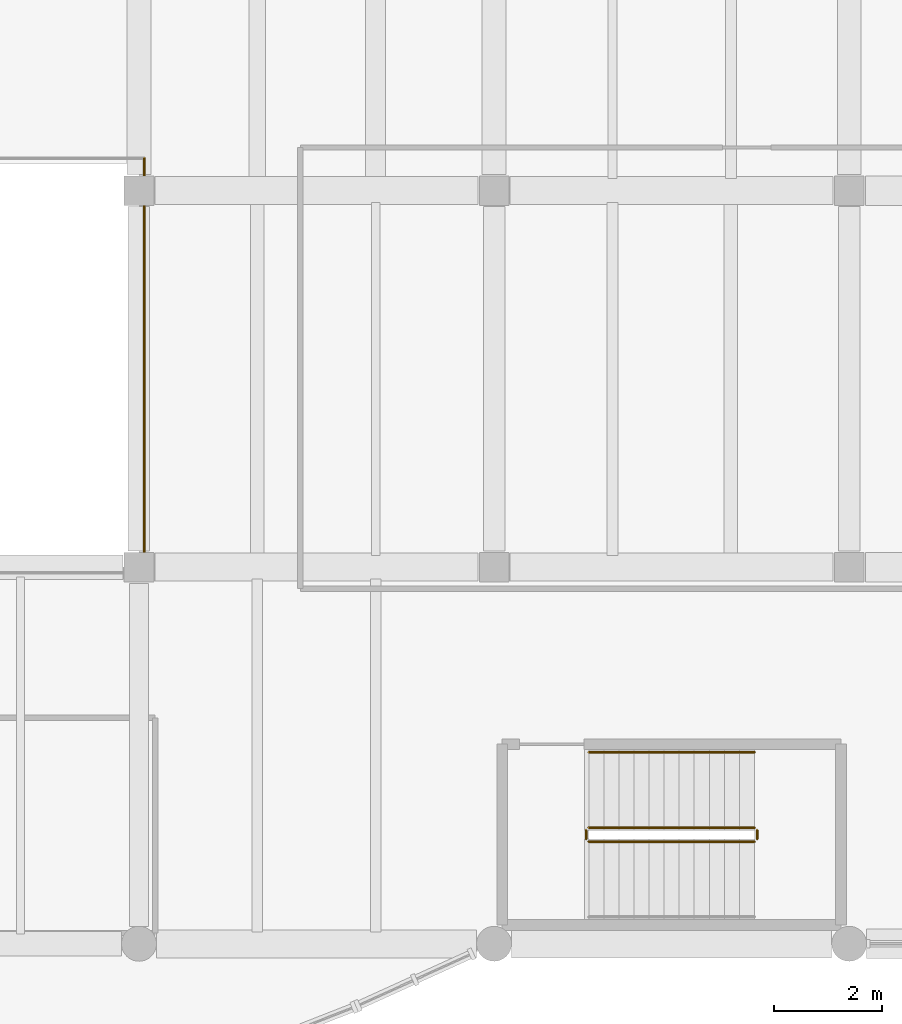
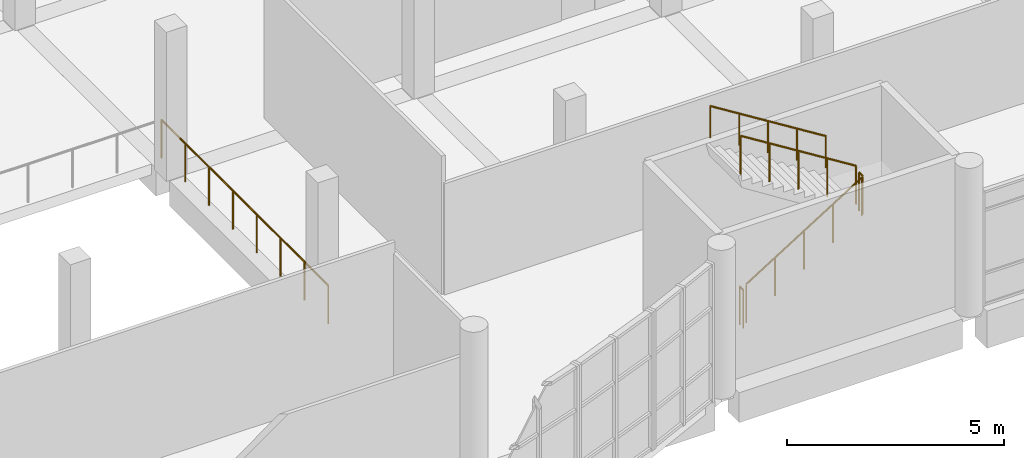
# One storey, part 61 of 65: 6 railings.
"""IFC4 building model written with IfcOpenShell, lengths in metres."""

from ifc_helpers import new_model, si_unit, direction, frame, origin, origin_2d, place, context, subcontext, project, spatial, circle, extrude, material, type_object, element, save


model = new_model("IFC4")

# Units and contexts
model_context = context("Model", 3, precision=1e-05, world=origin(), true_north=direction((0.0, 1.0)))
body_context = subcontext(model_context, "Body", "Model", "MODEL_VIEW")
ifc_project = project(units=[si_unit("LENGTHUNIT", "METRE"), si_unit("AREAUNIT", "SQUARE_METRE"), si_unit("VOLUMEUNIT", "CUBIC_METRE"), si_unit("PLANEANGLEUNIT", "RADIAN"), si_unit("MASSUNIT", "GRAM", prefix="KILO")], contexts=[model_context])

# Site, building, storey
site_placement = place(None, origin())
site = spatial("IfcSite", under=ifc_project, at=site_placement, CompositionType="ELEMENT")
building_placement = place(site_placement, origin())
building = spatial("IfcBuilding", under=site, at=building_placement, Name="Ciguamira Faculty of Natural Sciences", CompositionType="ELEMENT")
storey_placement = place(building_placement, frame((0.0, 0.0, 12.60009765625)))
storey = spatial("IfcBuildingStorey", under=building, at=storey_placement, Name="L03", CompositionType="ELEMENT", Elevation=12.60009765625)

# Railings
ifc_material_1 = material(Name="Stainless steel balustrade", Category="steel")
railing_type_1 = type_object("IfcRailingType", Name="Guardrail_GR01", PredefinedType="GUARDRAIL", material=ifc_material_1)
railing_1_placement = place(storey_placement, frame((111.860107421875, 11.89990234375, 0.1748046875)))
element("IfcRailing", 1, at=railing_1_placement, inside=storey, type_object=railing_type_1, Name="L03 ST-A2 stair guard 1", PredefinedType="GUARDRAIL", context=body_context, shape_type="SweptSolid", body=[
    extrude(circle(Radius=0.02392578125, at=origin_2d()), frame((0.0, 0.0, 1.076171875), z_axis=(0.847979421464, 0.0, 0.530029150871), x_axis=(0.0, 1.0, 0.0)), (0.0, 0.0, 1.0), 3.632080078125),
    extrude(circle(Radius=0.02099609375, at=origin_2d()), origin(), (0.0, 0.0, 1.0), 1.052001953125),
    extrude(circle(Radius=0.02099609375, at=origin_2d()), frame((0.77001953125, 0.0, 0.481201171875)), (0.0, 0.0, 1.0), 1.052001953125),
    extrude(circle(Radius=0.02099609375, at=origin_2d()), frame((1.5400390625, 0.0, 0.96240234375)), (0.0, 0.0, 1.0), 1.052001953125),
    extrude(circle(Radius=0.02099609375, at=origin_2d()), frame((2.309814453125, 0.0, 1.44384765625)), (0.0, 0.0, 1.0), 1.052001953125),
    extrude(circle(Radius=0.02099609375, at=origin_2d()), frame((3.079833984375, 0.0, 1.925048828125)), (0.0, 0.0, 1.0), 1.052001953125),
])
railing_2_placement = place(storey_placement, frame((114.989990234375, 11.949951171875, 2.099853515625)))
element("IfcRailing", 2, at=railing_2_placement, inside=storey, type_object=railing_type_1, Name="L03 ST-A2 stair guard 2", PredefinedType="GUARDRAIL", context=body_context, shape_type="SweptSolid", body=[
    extrude(circle(Radius=0.02392578125, at=origin_2d()), frame((0.0, 0.0, 1.076171875), z_axis=(0.0, 1.0, 0.0), x_axis=(-1.0, 0.0, 0.0)), (0.0, 0.0, 1.0), 0.16015625),
    extrude(circle(Radius=0.02099609375, at=origin_2d()), origin(), (0.0, 0.0, 1.0), 1.052001953125),
    extrude(circle(Radius=0.02099609375, at=origin_2d()), frame((0.0, 0.16015625, 0.0)), (0.0, 0.0, 1.0), 1.052001953125),
])
railing_3_placement = place(storey_placement, frame((114.93994140625, 12.159912109375, 2.27490234375)))
element("IfcRailing", 3, at=railing_3_placement, inside=storey, type_object=railing_type_1, Name="L03 ST-A2 stair guard 3", PredefinedType="GUARDRAIL", context=body_context, shape_type="SweptSolid", body=[
    extrude(circle(Radius=0.02392578125, at=origin_2d()), frame((0.0, 0.0, 1.076171875), z_axis=(-0.847979421464, 0.0, 0.530029150871), x_axis=(0.0, -1.0, 0.0)), (0.0, 0.0, 1.0), 3.632080078125),
    extrude(circle(Radius=0.02099609375, at=origin_2d()), origin(), (0.0, 0.0, 1.0), 1.052001953125),
    extrude(circle(Radius=0.02099609375, at=origin_2d()), frame((-0.77001953125, 0.0, 0.481201171875)), (0.0, 0.0, 1.0), 1.052001953125),
    extrude(circle(Radius=0.02099609375, at=origin_2d()), frame((-1.5400390625, 0.0, 0.96240234375)), (0.0, 0.0, 1.0), 1.052001953125),
    extrude(circle(Radius=0.02099609375, at=origin_2d()), frame((-2.309814453125, 0.0, 1.44384765625)), (0.0, 0.0, 1.0), 1.052001953125),
    extrude(circle(Radius=0.02099609375, at=origin_2d()), frame((-3.079833984375, 0.0, 1.925048828125)), (0.0, 0.0, 1.0), 1.052001953125),
])
railing_4_placement = place(storey_placement, frame((111.81005859375, 11.949951171875, 0.0)))
element("IfcRailing", 4, at=railing_4_placement, inside=storey, type_object=railing_type_1, Name="L03 ST-A2 stair guard 4", PredefinedType="GUARDRAIL", context=body_context, shape_type="SweptSolid", body=[
    extrude(circle(Radius=0.02392578125, at=origin_2d()), frame((0.0, 0.0, 1.076171875), z_axis=(0.0, 1.0, 0.0), x_axis=(-1.0, 0.0, 0.0)), (0.0, 0.0, 1.0), 0.16015625),
    extrude(circle(Radius=0.02099609375, at=origin_2d()), origin(), (0.0, 0.0, 1.0), 1.052001953125),
    extrude(circle(Radius=0.02099609375, at=origin_2d()), frame((0.0, 0.16015625, 0.0)), (0.0, 0.0, 1.0), 1.052001953125),
])
railing_5_placement = place(storey_placement, frame((103.60009765625, 16.89990234375, 0.0)))
element("IfcRailing", 5, at=railing_5_placement, inside=storey, type_object=railing_type_1, Name="L03 atrium void guardrail E", PredefinedType="GUARDRAIL", context=body_context, shape_type="SweptSolid", body=[
    extrude(circle(Radius=0.02392578125, at=origin_2d()), frame((0.0, 0.0, 1.076171875), z_axis=(0.0, 1.0, 0.0), x_axis=(-1.0, 0.0, 0.0)), (0.0, 0.0, 1.0), 7.7001953125),
    extrude(circle(Radius=0.02099609375, at=origin_2d()), origin(), (0.0, 0.0, 1.0), 1.052001953125),
    extrude(circle(Radius=0.02099609375, at=origin_2d()), frame((0.0, 1.10009765625, 0.0)), (0.0, 0.0, 1.0), 1.052001953125),
    extrude(circle(Radius=0.02099609375, at=origin_2d()), frame((0.0, 2.199951171875, 0.0)), (0.0, 0.0, 1.0), 1.052001953125),
    extrude(circle(Radius=0.02099609375, at=origin_2d()), frame((0.0, 3.300048828125, 0.0)), (0.0, 0.0, 1.0), 1.052001953125),
    extrude(circle(Radius=0.02099609375, at=origin_2d()), frame((0.0, 4.400146484375, 0.0)), (0.0, 0.0, 1.0), 1.052001953125),
    extrude(circle(Radius=0.02099609375, at=origin_2d()), frame((0.0, 5.500244140625, 0.0)), (0.0, 0.0, 1.0), 1.052001953125),
    extrude(circle(Radius=0.02099609375, at=origin_2d()), frame((0.0, 6.60009765625, 0.0)), (0.0, 0.0, 1.0), 1.052001953125),
    extrude(circle(Radius=0.02099609375, at=origin_2d()), frame((0.0, 7.7001953125, 0.0)), (0.0, 0.0, 1.0), 1.052001953125),
])
ifc_material_2 = material(Name="Stainless steel handrail", Category="steel")
railing_type_2 = type_object("IfcRailingType", Name="Handrail_HR01", PredefinedType="HANDRAIL", material=ifc_material_2)
railing_6_placement = place(storey_placement, frame((114.93994140625, 13.56005859375, 2.449951171875)))
element("IfcRailing", 6, at=railing_6_placement, inside=storey, type_object=railing_type_2, Name="L03 ST-A2 stair handrail 2", PredefinedType="HANDRAIL", context=body_context, shape_type="SweptSolid", body=[
    extrude(circle(Radius=0.02392578125, at=origin_2d()), frame((0.0, 0.0, 0.89111328125), z_axis=(-0.847979421464, 0.0, 0.530029150871), x_axis=(0.0, -1.0, 0.0)), (0.0, 0.0, 1.0), 3.632080078125),
    extrude(circle(Radius=0.02099609375, at=origin_2d()), origin(), (0.0, 0.0, 1.0), 0.866943359375),
    extrude(circle(Radius=0.02099609375, at=origin_2d()), frame((-0.77001953125, 0.0, 0.481201171875)), (0.0, 0.0, 1.0), 0.866943359375),
    extrude(circle(Radius=0.02099609375, at=origin_2d()), frame((-1.5400390625, 0.0, 0.96240234375)), (0.0, 0.0, 1.0), 0.866943359375),
    extrude(circle(Radius=0.02099609375, at=origin_2d()), frame((-2.309814453125, 0.0, 1.44384765625)), (0.0, 0.0, 1.0), 0.866943359375),
    extrude(circle(Radius=0.02099609375, at=origin_2d()), frame((-3.079833984375, 0.0, 1.925048828125)), (0.0, 0.0, 1.0), 0.866943359375),
])

save(model, "model.ifc")
